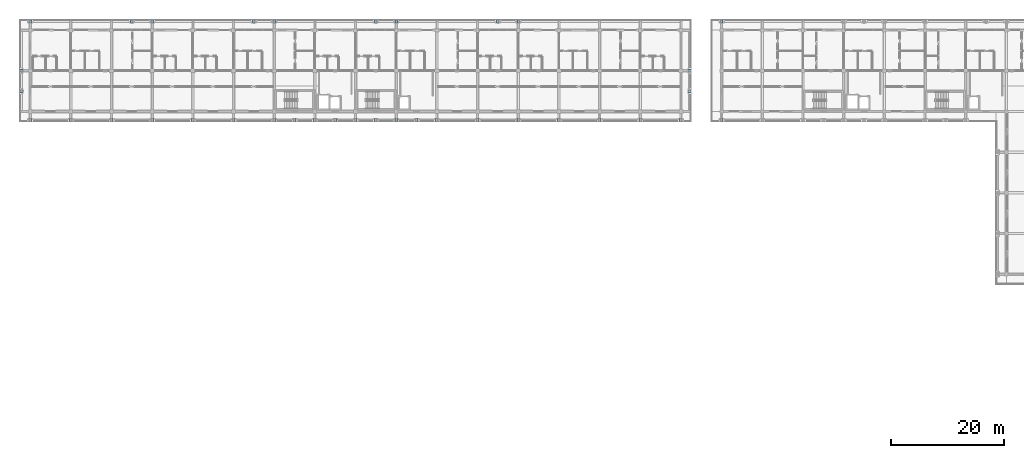
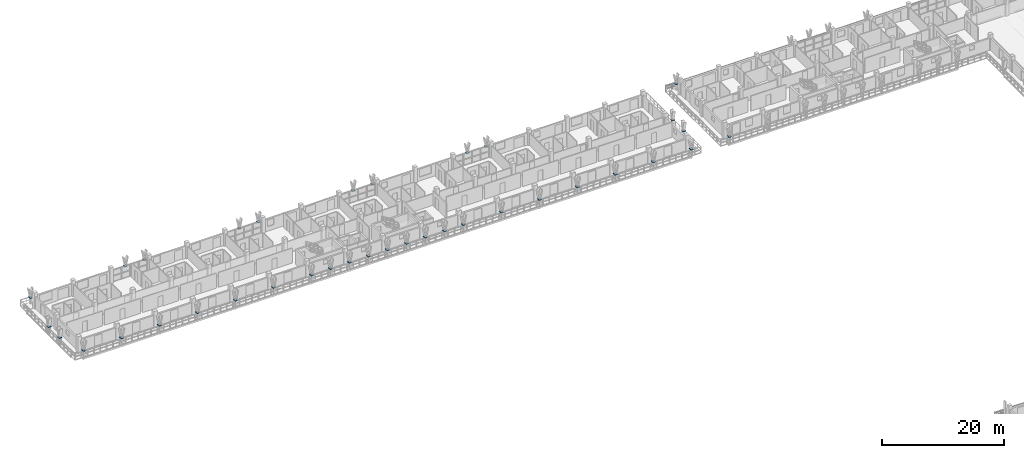
# One storey, part 36 of 76: 36 plates.
"""IFC4 building model written with IfcOpenShell, lengths in metres."""

from ifc_helpers import new_model, si_unit, direction, frame, origin, origin_2d, place, context, subcontext, project, spatial, rectangle, extrude, material, layer, layer_set, type_object, element, save


model = new_model("IFC4")

# Units and contexts
model_context = context("Model", 3, precision=1e-05, world=origin(), true_north=direction((0.0, 1.0)))
body_context = subcontext(model_context, "Body", "Model", "MODEL_VIEW")
ifc_project = project(units=[si_unit("LENGTHUNIT", "METRE"), si_unit("AREAUNIT", "SQUARE_METRE"), si_unit("VOLUMEUNIT", "CUBIC_METRE"), si_unit("PLANEANGLEUNIT", "RADIAN"), si_unit("MASSUNIT", "GRAM", prefix="KILO")], contexts=[model_context])

# Site, building, storey
site_placement = place(None, origin())
site = spatial("IfcSite", under=ifc_project, at=site_placement, CompositionType="ELEMENT")
building_placement = place(site_placement, origin())
building = spatial("IfcBuilding", under=site, at=building_placement, Name="Suanplinth Sawtooth Commons", CompositionType="ELEMENT")
storey_placement = place(building_placement, frame((0.0, 0.0, 12.199951171875)))
storey = spatial("IfcBuildingStorey", under=building, at=storey_placement, Name="L03", CompositionType="ELEMENT", Elevation=12.199951171875)

# Plates
ifc_material = material(Name="Pigmented precast concrete C40/50", Category="concrete")
ifc_layer = layer(ifc_material, 0.06005859375, Name="Precast Y-blade bifurcation node plate 60mm")
ifc_layer_set = layer_set([ifc_layer], Name="Pigmented precast concrete C40/50")
plate_type = type_object("IfcPlateType", Name="PL-04", PredefinedType="USERDEFINED", material=ifc_layer_set)
for number, where, z_axis, x_axis, name in (
    (1, (0.0, 123.919921875, 1.1201171875), (0.0, 0.0, 1.0), (1.0, 0.0, 0.0), "Y-Blade Node Plate L03-A-N-01"),
    (2, (18.0, 123.919921875, 1.1201171875), (0.0, 0.0, 1.0), (1.0, 0.0, 0.0), "Y-Blade Node Plate L03-A-N-02"),
    (3, (21.60009765625, 123.919921875, 1.1201171875), (0.0, 0.0, 1.0), (1.0, 0.0, 0.0), "Y-Blade Node Plate L03-A-N-03"),
    (4, (39.60009765625, 123.919921875, 1.1201171875), (0.0, 0.0, 1.0), (1.0, 0.0, 0.0), "Y-Blade Node Plate L03-A-N-04"),
    (5, (43.199951171875, 123.919921875, 1.1201171875), (0.0, 0.0, 1.0), (1.0, 0.0, 0.0), "Y-Blade Node Plate L03-A-N-05"),
    (6, (61.199951171875, 123.919921875, 1.1201171875), (0.0, 0.0, 1.0), (1.0, 0.0, 0.0), "Y-Blade Node Plate L03-A-N-06"),
    (7, (64.800048828125, 123.919921875, 1.1201171875), (0.0, 0.0, 1.0), (1.0, 0.0, 0.0), "Y-Blade Node Plate L03-A-N-07"),
    (8, (82.800048828125, 123.919921875, 1.1201171875), (0.0, 0.0, 1.0), (1.0, 0.0, 0.0), "Y-Blade Node Plate L03-A-N-08"),
    (9, (86.39990234375, 123.919921875, 1.1201171875), (0.0, 0.0, 1.0), (1.0, 0.0, 0.0), "Y-Blade Node Plate L03-A-N-09"),
    (10, (0.0, 106.47998046875, 1.1201171875), (0.0, 0.0, 1.0), (1.0, 0.0, 0.0), "Y-Blade Node Plate L03-A-S-10"),
    (11, (7.199951171875, 106.47998046875, 1.1201171875), (0.0, 0.0, 1.0), (1.0, 0.0, 0.0), "Y-Blade Node Plate L03-A-S-11"),
    (12, (14.39990234375, 106.47998046875, 1.1201171875), (0.0, 0.0, 1.0), (1.0, 0.0, 0.0), "Y-Blade Node Plate L03-A-S-12"),
    (13, (21.60009765625, 106.47998046875, 1.1201171875), (0.0, 0.0, 1.0), (1.0, 0.0, 0.0), "Y-Blade Node Plate L03-A-S-13"),
    (14, (28.800048828125, 106.47998046875, 1.1201171875), (0.0, 0.0, 1.0), (1.0, 0.0, 0.0), "Y-Blade Node Plate L03-A-S-14"),
    (15, (36.0, 106.47998046875, 1.1201171875), (0.0, 0.0, 1.0), (1.0, 0.0, 0.0), "Y-Blade Node Plate L03-A-S-15"),
    (16, (43.199951171875, 106.47998046875, 1.1201171875), (0.0, 0.0, 1.0), (1.0, 0.0, 0.0), "Y-Blade Node Plate L03-A-S-16"),
    (17, (46.800048828125, 106.47998046875, 1.1201171875), (0.0, 0.0, 1.0), (1.0, 0.0, 0.0), "Y-Blade Node Plate L03-A-S-17"),
    (18, (50.39990234375, 106.47998046875, 1.1201171875), (0.0, 0.0, 1.0), (1.0, 0.0, 0.0), "Y-Blade Node Plate L03-A-S-18"),
    (19, (54.0, 106.47998046875, 1.1201171875), (0.0, 0.0, 1.0), (1.0, 0.0, 0.0), "Y-Blade Node Plate L03-A-S-19"),
    (20, (57.60009765625, 106.47998046875, 1.1201171875), (0.0, 0.0, 1.0), (1.0, 0.0, 0.0), "Y-Blade Node Plate L03-A-S-20"),
    (21, (61.199951171875, 106.47998046875, 1.1201171875), (0.0, 0.0, 1.0), (1.0, 0.0, 0.0), "Y-Blade Node Plate L03-A-S-21"),
    (22, (64.800048828125, 106.47998046875, 1.1201171875), (0.0, 0.0, 1.0), (1.0, 0.0, 0.0), "Y-Blade Node Plate L03-A-S-22"),
    (23, (68.39990234375, 106.47998046875, 1.1201171875), (0.0, 0.0, 1.0), (1.0, 0.0, 0.0), "Y-Blade Node Plate L03-A-S-23"),
    (24, (72.0, 106.47998046875, 1.1201171875), (0.0, 0.0, 1.0), (1.0, 0.0, 0.0), "Y-Blade Node Plate L03-A-S-24"),
    (25, (79.199951171875, 106.47998046875, 1.1201171875), (0.0, 0.0, 1.0), (1.0, 0.0, 0.0), "Y-Blade Node Plate L03-A-S-25"),
    (26, (86.39990234375, 106.47998046875, 1.1201171875), (0.0, 0.0, 1.0), (1.0, 0.0, 0.0), "Y-Blade Node Plate L03-A-S-26"),
    (27, (93.60009765625, 106.47998046875, 1.1201171875), (0.0, 0.0, 1.0), (1.0, 0.0, 0.0), "Y-Blade Node Plate L03-A-S-27"),
    (28, (100.800048828125, 106.47998046875, 1.1201171875), (0.0, 0.0, 1.0), (1.0, 0.0, 0.0), "Y-Blade Node Plate L03-A-S-28"),
    (29, (108.0, 106.47998046875, 1.1201171875), (0.0, 0.0, 1.0), (1.0, 0.0, 0.0), "Y-Blade Node Plate L03-A-S-29"),
    (30, (115.199951171875, 106.47998046875, 1.1201171875), (0.0, 0.0, 1.0), (1.0, 0.0, 0.0), "Y-Blade Node Plate L03-A-S-30"),
    (31, (-1.52001953125, 111.60009765625, 1.1201171875), (0.0, 0.0, 1.0), (0.0, 1.0, 0.0), "Y-Blade Node Plate L03-A-W-31"),
    (32, (-1.52001953125, 115.199951171875, 1.1201171875), (0.0, 0.0, 1.0), (0.0, 1.0, 0.0), "Y-Blade Node Plate L03-A-W-32"),
    (33, (116.719970703125, 111.60009765625, 1.1201171875), (0.0, 0.0, 1.0), (0.0, 1.0, 0.0), "Y-Blade Node Plate L03-A-E-33"),
    (34, (116.719970703125, 115.199951171875, 1.1201171875), (0.0, 0.0, 1.0), (0.0, 1.0, 0.0), "Y-Blade Node Plate L03-A-E-34"),
    (35, (122.39990234375, 123.919921875, 1.1201171875), (0.0, 0.0, 1.0), (1.0, 0.0, 0.0), "Y-Blade Node Plate L03-B-N-01"),
    (36, (122.39990234375, 106.47998046875, 1.1201171875), (0.0, 0.0, 1.0), (1.0, 0.0, 0.0), "Y-Blade Node Plate L03-B-SC-15"),
):
    element("IfcPlate", number, at=place(storey_placement, frame(where, z_axis=z_axis, x_axis=x_axis)), inside=storey, type_object=plate_type, Name=name, ObjectType="GUSSET PLATE", PredefinedType="USERDEFINED", context=body_context, shape_type="SweptSolid", body=[
        extrude(rectangle(XDim=0.43994140625, YDim=0.550048828125, at=origin_2d()), origin(), (0.0, 0.0, 1.0), 0.06005859375),
    ])

save(model, "model.ifc")
